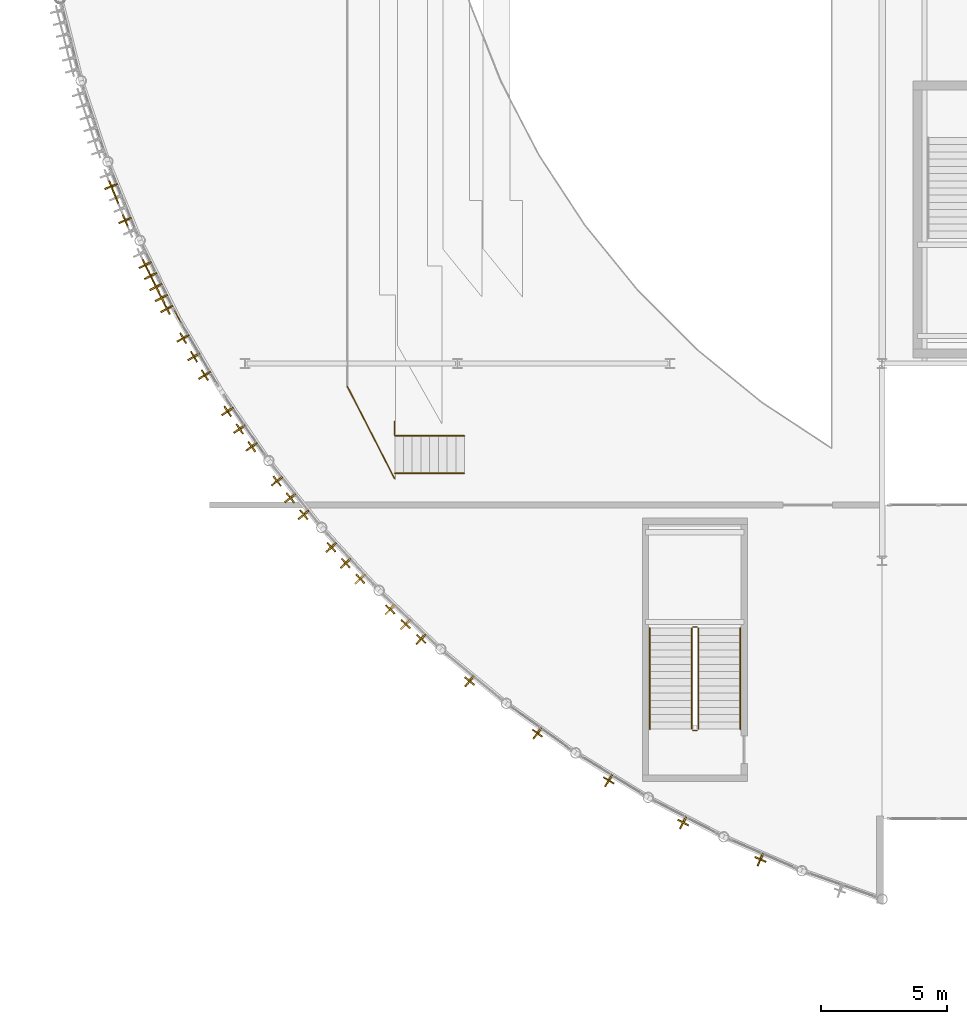
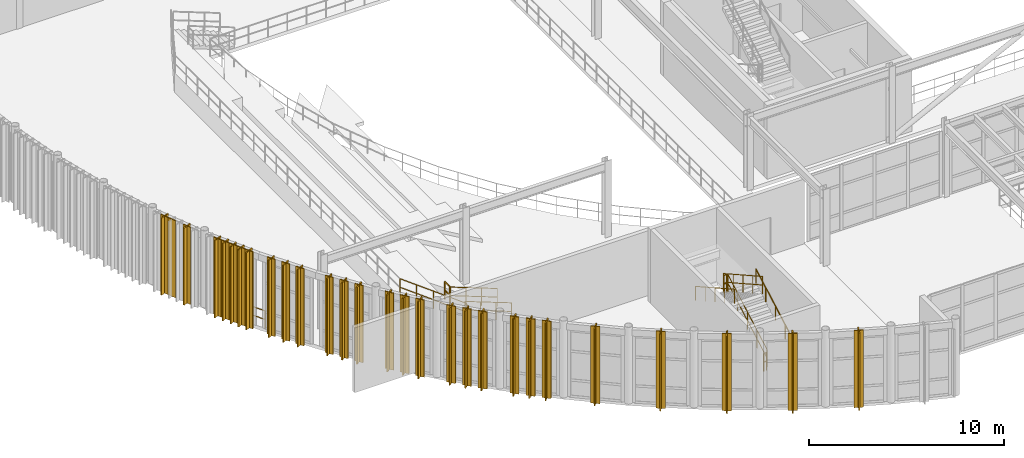
# One storey, part 96 of 105: 28 shading devices, 27 coverings, 11 railings.
"""IFC4 building model written with IfcOpenShell, lengths in metres."""

import ifcopenshell
import ifcopenshell.guid

model = None  # the IFC model being written
_history = None  # IfcOwnerHistory: only IFC2X3 demands one
_inside = {}  # id of a spatial element -> (the spatial element, [elements in it])
_under = {}  # id of a project, library or spatial element -> (it, [spatial elements below it])
_declared = {}  # id of a project -> (the project, [libraries it declares])
_typed = {}  # id of a type object -> (the type object, [elements of that type])
_made_of = {}  # id of a material, layer set ... -> (it, [elements and type objects made of it])


def new_model(schema):
    """Start an empty IFC model of exactly this schema.

    Asked for "IFC4X3", IfcOpenShell would pick the latest addendum, in which some entities
    have other attributes; the version numbers below select the first issue.
    IFC2X3 requires an IfcOwnerHistory on every rooted entity: one is made here for all.
    """
    global model, _history
    if schema == "IFC4X3":
        model = ifcopenshell.file(schema_version=(4, 3, 0, 0))
    else:
        model = ifcopenshell.file(schema=schema)
    _inside.clear()
    _under.clear()
    _declared.clear()
    _typed.clear()
    _made_of.clear()
    _history = None
    if model.schema == "IFC2X3":
        org = make("IfcOrganization", Name="unknown")
        user = make(
            "IfcPersonAndOrganization",
            ThePerson=make("IfcPerson", FamilyName="unknown"),
            TheOrganization=org,
        )
        app = make(
            "IfcApplication",
            ApplicationDeveloper=org,
            Version="unknown",
            ApplicationFullName="unknown",
            ApplicationIdentifier="unknown",
        )
        _history = make(
            "IfcOwnerHistory",
            OwningUser=user,
            OwningApplication=app,
            ChangeAction="ADDED",
            CreationDate=0,
        )
    return model


def make(cls, **values):
    """One entity of the class cls with the attributes given. An attribute that is None is left unset."""
    return model.create_entity(
        cls, **{name: value for name, value in values.items() if value is not None}
    )


def rooted(cls, **values):
    """An entity with a GlobalId (a new one), such as an element, a storey or a relation."""
    return make(cls, GlobalId=ifcopenshell.guid.new(), OwnerHistory=_history, **values)


def si_unit(unit_type, name, prefix=None):
    """IfcSIUnit, for example si_unit("LENGTHUNIT", "METRE", prefix="MILLI")."""
    return make("IfcSIUnit", UnitType=unit_type, Prefix=prefix, Name=name)


def assignment(units):
    """IfcUnitAssignment: the units of a project."""
    return None if units is None else make("IfcUnitAssignment", Units=units)


def point(xyz):
    """IfcCartesianPoint."""
    return None if xyz is None else make("IfcCartesianPoint", Coordinates=xyz)


def direction(xyz):
    """IfcDirection."""
    return None if xyz is None else make("IfcDirection", DirectionRatios=xyz)


def frame(location, z_axis=None, x_axis=None):
    """IfcAxis2Placement3D, a coordinate frame: its origin and axes. An axis left out is left unset."""
    return make(
        "IfcAxis2Placement3D",
        Location=point(location),
        Axis=direction(z_axis),
        RefDirection=direction(x_axis),
    )


def frame_2d(location, x_axis=None):
    """IfcAxis2Placement2D, a coordinate frame in the plane: its origin and x axis."""
    return make(
        "IfcAxis2Placement2D", Location=point(location), RefDirection=direction(x_axis)
    )


def origin():
    """The frame at (0, 0, 0) with its axes left unset."""
    return frame((0.0, 0.0, 0.0))


def origin_2d():
    """The frame at (0, 0) in the plane with its x axis left unset."""
    return frame_2d((0.0, 0.0))


def place(relative_to, where):
    """IfcLocalPlacement: puts the frame where relative to a parent placement (None: the world)."""
    return make(
        "IfcLocalPlacement", PlacementRelTo=relative_to, RelativePlacement=where
    )


def context(
    kind, dimensions, precision=None, world=None, true_north=None, identifier=None
):
    """IfcGeometricRepresentationContext, for example the 3D "Model" context."""
    return make(
        "IfcGeometricRepresentationContext",
        ContextIdentifier=identifier,
        ContextType=kind,
        CoordinateSpaceDimension=dimensions,
        Precision=precision,
        WorldCoordinateSystem=world,
        TrueNorth=true_north,
    )


def subcontext(parent, identifier, kind, view, scale=None):
    """IfcGeometricRepresentationSubContext, for example "Body" below "Model"."""
    return make(
        "IfcGeometricRepresentationSubContext",
        ContextIdentifier=identifier,
        ContextType=kind,
        ParentContext=parent,
        TargetScale=scale,
        TargetView=view,
    )


def project(units=None, contexts=None):
    """IfcProject with its units and contexts."""
    return rooted(
        "IfcProject",
        Name="project",
        RepresentationContexts=contexts,
        UnitsInContext=assignment(units),
    )


def spatial(cls, under=None, at=None, **own):
    """A site, building, storey or space (cls), placed at a placement, below another one or the project."""
    s = rooted(cls, ObjectPlacement=at, **own)
    if under is not None:
        _under.setdefault(under.id(), (under, []))[1].append(s)
    return s


def polyline(points):
    """IfcPolyline through the points."""
    return make("IfcPolyline", Points=[point(p) for p in points])


def profile(cls, at=None, kind="AREA", **sizes):
    """A parametric profile (cls). Its sizes go by their IFC names, for example OverallWidth=200.0."""
    return make(cls, ProfileType=kind, Position=at, **sizes)


def rectangle(**sizes):
    """IfcRectangleProfileDef."""
    return profile("IfcRectangleProfileDef", **sizes)


def circle(**sizes):
    """IfcCircleProfileDef."""
    return profile("IfcCircleProfileDef", **sizes)


def outline(outer, holes=None, kind="AREA"):
    """IfcArbitraryClosedProfileDef: a profile drawn as a closed curve; with holes, ...WithVoids."""
    if holes is None:
        return make("IfcArbitraryClosedProfileDef", ProfileType=kind, OuterCurve=outer)
    return make(
        "IfcArbitraryProfileDefWithVoids",
        ProfileType=kind,
        OuterCurve=outer,
        InnerCurves=holes,
    )


def extrude(swept, where, along, depth):
    """IfcExtrudedAreaSolid: the profile swept, set in the frame where, extruded along a direction by depth."""
    return make(
        "IfcExtrudedAreaSolid",
        SweptArea=swept,
        Position=where,
        ExtrudedDirection=direction(along),
        Depth=depth,
    )


def shape(context_of_items, identifier, shape_type, items):
    """IfcShapeRepresentation: the items that make up one representation, for example the "Body"."""
    return make(
        "IfcShapeRepresentation",
        ContextOfItems=context_of_items,
        RepresentationIdentifier=identifier,
        RepresentationType=shape_type,
        Items=items,
    )


def material(Name=None, Category=None):
    """IfcMaterial."""
    return make("IfcMaterial", Name=Name, Category=Category)


def layer(
    of_material, thickness, ventilated=None, Name=None, Category=None, Priority=None
):
    """IfcMaterialLayer: one layer of a wall or slab, of a material (None: an air gap)."""
    return make(
        "IfcMaterialLayer",
        Material=of_material,
        LayerThickness=thickness,
        IsVentilated=ventilated,
        Name=Name,
        Category=Category,
        Priority=Priority,
    )


def layer_set(layers, Name=None):
    """IfcMaterialLayerSet."""
    return make("IfcMaterialLayerSet", MaterialLayers=layers, LayerSetName=Name)


def material_profile(
    of_material, cross_section, Name=None, Category=None, Priority=None
):
    """IfcMaterialProfile: a cross section and its material."""
    return make(
        "IfcMaterialProfile",
        Name=Name,
        Material=of_material,
        Profile=cross_section,
        Priority=Priority,
        Category=Category,
    )


def profile_set(profiles, Name=None, composite=None):
    """IfcMaterialProfileSet."""
    return make(
        "IfcMaterialProfileSet",
        Name=Name,
        MaterialProfiles=profiles,
        CompositeProfile=composite,
    )


def made_of(thing, what):
    """Note that an element or type object is made of a material, layer set ...; save() writes the relation."""
    if what is not None:
        _made_of.setdefault(what.id(), (what, []))[1].append(thing)
    return thing


def type_object(cls, material=None, **own):
    """A type object (cls), such as IfcWallType, which elements share."""
    return made_of(rooted(cls, **own), material)


def element(
    cls,
    number,
    at=None,
    inside=None,
    cuts=None,
    type_object=None,
    material=None,
    context=None,
    identifier="Body",
    shape_type=None,
    held_by="IfcProductDefinitionShape",
    body=None,
    shapes=None,
    **own,
):
    """One element of the class cls, such as IfcWall. Its Tag is "e" and its number.

    at: its placement. inside: the storey or other place that contains it. cuts: it is an
    opening in that element (IfcRelVoidsElement). A single representation is given by context,
    identifier, shape_type and body (its items); several are given by shapes. held_by: the class
    of the entity that holds the representations. save() writes the other relations.
    """
    e = rooted(cls, Tag="e%d" % number, ObjectPlacement=at, **own)
    if body is not None:
        shapes = [shape(context, identifier, shape_type, body)]
    if shapes is not None:
        e.Representation = make(held_by, Representations=shapes)
    if inside is not None:
        _inside.setdefault(inside.id(), (inside, []))[1].append(e)
    if cuts is not None:
        rooted(
            "IfcRelVoidsElement", RelatingBuildingElement=cuts, RelatedOpeningElement=e
        )
    if type_object is not None:
        _typed.setdefault(type_object.id(), (type_object, []))[1].append(e)
    return made_of(e, material)


def aggregate(whole, parts):
    """IfcRelAggregates: a whole, such as a stair, and the parts it consists of."""
    return rooted("IfcRelAggregates", RelatingObject=whole, RelatedObjects=parts)


def save(model, path):
    """Write the relations noted so far, then the file.

    IfcRelAggregates (storeys below a building ...), IfcRelContainedInSpatialStructure (elements
    in a storey), IfcRelDefinesByType, IfcRelAssociatesMaterial and IfcRelDeclares: one each for
    every whole, place, type object, material and project.
    """
    for whole, parts in _under.values():
        aggregate(whole, parts)
    for where, things in _inside.values():
        rooted(
            "IfcRelContainedInSpatialStructure",
            RelatedElements=things,
            RelatingStructure=where,
        )
    for kind, things in _typed.values():
        rooted("IfcRelDefinesByType", RelatedObjects=things, RelatingType=kind)
    for what, things in _made_of.values():
        rooted("IfcRelAssociatesMaterial", RelatedObjects=things, RelatingMaterial=what)
    for by, libraries in _declared.values():
        rooted("IfcRelDeclares", RelatingContext=by, RelatedDefinitions=libraries)
    model.write(path)


model = new_model("IFC4")

# Units and contexts
model_context = context("Model", 3, precision=1e-05, world=origin(), true_north=direction((0.0, 1.0)))
body_context = subcontext(model_context, "Body", "Model", "MODEL_VIEW")
ifc_project = project(units=[si_unit("LENGTHUNIT", "METRE"), si_unit("AREAUNIT", "SQUARE_METRE"), si_unit("VOLUMEUNIT", "CUBIC_METRE"), si_unit("PLANEANGLEUNIT", "RADIAN"), si_unit("MASSUNIT", "GRAM", prefix="KILO")], contexts=[model_context])

# Site, building, storey
site_placement = place(None, origin())
site = spatial("IfcSite", under=ifc_project, at=site_placement, CompositionType="ELEMENT")
building_placement = place(site_placement, origin())
building = spatial("IfcBuilding", under=site, at=building_placement, Name="Selat Folded Stagehouse", CompositionType="ELEMENT")
storey_placement = place(building_placement, frame((0.0, 0.0, 10.199951171875)))
storey = spatial("IfcBuildingStorey", under=building, at=storey_placement, Name="L02", CompositionType="ELEMENT", Elevation=10.199951171875)

# Coverings
ifc_material_1 = material(Name="Bronze-anodised aluminium 6063-T6", Category="aluminium")
ifc_layer_1 = layer(ifc_material_1, 0.06201171875)
ifc_layer_set_1 = layer_set([ifc_layer_1], Name="Bronze-anodised aluminium 6063-T6")
covering_type = type_object("IfcCoveringType", Name="COV-FIN-BRZ48", PredefinedType="CLADDING", material=ifc_layer_set_1)
covering_1_placement = place(storey_placement, frame((0.0, 0.0, -0.099853515625)))
element("IfcCovering", 1, at=covering_1_placement, inside=storey, type_object=covering_type, Name="L02 drum bronze fin cladding sheath 255", PredefinedType="CLADDING", context=body_context, shape_type="SweptSolid", body=[
    extrude(outline(polyline([(3.339111328125, 30.530517578125), (2.83642578125, 30.33349609375), (2.85986328125, 30.27392578125), (3.362548828125, 30.470947265625), (3.339111328125, 30.530517578125)])), origin(), (0.0, 0.0, 1.0), 4.81982421875),
])
covering_2_placement = place(storey_placement, frame((0.0, 0.0, -0.099853515625)))
element("IfcCovering", 2, at=covering_2_placement, inside=storey, type_object=covering_type, Name="L02 drum bronze fin cladding sheath 273", PredefinedType="CLADDING", context=body_context, shape_type="SweptSolid", body=[
    extrude(outline(polyline([(3.885009765625, 29.194580078125), (3.388427734375, 28.982421875), (3.413818359375, 28.923583984375), (3.910400390625, 29.135498046875), (3.885009765625, 29.194580078125)])), origin(), (0.0, 0.0, 1.0), 4.81982421875),
])
covering_3_placement = place(storey_placement, frame((0.0, 0.0, -0.099853515625)))
element("IfcCovering", 3, at=covering_3_placement, inside=storey, type_object=covering_type, Name="L02 drum bronze fin cladding sheath 291", PredefinedType="CLADDING", context=body_context, shape_type="SweptSolid", body=[
    extrude(outline(polyline([(4.674560546875, 27.44091796875), (4.18701171875, 27.208984375), (4.21435546875, 27.151123046875), (4.7021484375, 27.383056640625), (4.674560546875, 27.44091796875)])), origin(), (0.0, 0.0, 1.0), 4.81982421875),
])
covering_4_placement = place(storey_placement, frame((0.0, 0.0, -0.099853515625)))
element("IfcCovering", 4, at=covering_4_placement, inside=storey, type_object=covering_type, Name="L02 drum bronze fin cladding sheath 297", PredefinedType="CLADDING", context=body_context, shape_type="SweptSolid", body=[
    extrude(outline(polyline([(4.887451171875, 27.00927734375), (4.402099609375, 26.772705078125), (4.43017578125, 26.715087890625), (4.915283203125, 26.951904296875), (4.887451171875, 27.00927734375)])), origin(), (0.0, 0.0, 1.0), 4.81982421875),
])
covering_5_placement = place(storey_placement, frame((0.0, 0.0, -0.099853515625)))
element("IfcCovering", 5, at=covering_5_placement, inside=storey, type_object=covering_type, Name="L02 drum bronze fin cladding sheath 303", PredefinedType="CLADDING", context=body_context, shape_type="SweptSolid", body=[
    extrude(outline(polyline([(5.10009765625, 26.577880859375), (4.6171875, 26.336181640625), (4.645751953125, 26.279052734375), (5.12890625, 26.5205078125), (5.10009765625, 26.577880859375)])), origin(), (0.0, 0.0, 1.0), 4.81982421875),
])
covering_6_placement = place(storey_placement, frame((0.0, 0.0, -0.099853515625)))
element("IfcCovering", 6, at=covering_6_placement, inside=storey, type_object=covering_type, Name="L02 drum bronze fin cladding sheath 309", PredefinedType="CLADDING", context=body_context, shape_type="SweptSolid", body=[
    extrude(outline(polyline([(5.31298828125, 26.146484375), (4.83251953125, 25.89990234375), (4.861572265625, 25.843017578125), (5.342041015625, 26.08935546875), (5.31298828125, 26.146484375)])), origin(), (0.0, 0.0, 1.0), 4.81982421875),
])
covering_7_placement = place(storey_placement, frame((0.0, 0.0, -0.099853515625)))
element("IfcCovering", 7, at=covering_7_placement, inside=storey, type_object=covering_type, Name="L02 drum bronze fin cladding sheath 315", PredefinedType="CLADDING", context=body_context, shape_type="SweptSolid", body=[
    extrude(outline(polyline([(5.525634765625, 25.71484375), (5.047607421875, 25.463623046875), (5.077392578125, 25.406982421875), (5.555419921875, 25.658203125), (5.525634765625, 25.71484375)])), origin(), (0.0, 0.0, 1.0), 4.81982421875),
])
covering_8_placement = place(storey_placement, frame((0.0, 0.0, -0.099853515625)))
element("IfcCovering", 8, at=covering_8_placement, inside=storey, type_object=covering_type, Name="L02 drum bronze fin cladding sheath 321", PredefinedType="CLADDING", context=body_context, shape_type="SweptSolid", body=[
    extrude(outline(polyline([(6.162841796875, 24.556396484375), (5.69189453125, 24.2919921875), (5.72314453125, 24.236083984375), (6.194091796875, 24.50048828125), (6.162841796875, 24.556396484375)])), origin(), (0.0, 0.0, 1.0), 4.81982421875),
])
covering_9_placement = place(storey_placement, frame((0.0, 0.0, -0.099853515625)))
element("IfcCovering", 9, at=covering_9_placement, inside=storey, type_object=covering_type, Name="L02 drum bronze fin cladding sheath 327", PredefinedType="CLADDING", context=body_context, shape_type="SweptSolid", body=[
    extrude(outline(polyline([(6.587158203125, 23.8291015625), (6.12109375, 23.556640625), (6.1533203125, 23.50146484375), (6.619384765625, 23.77392578125), (6.587158203125, 23.8291015625)])), origin(), (0.0, 0.0, 1.0), 4.81982421875),
])
covering_10_placement = place(storey_placement, frame((0.0, 0.0, -0.099853515625)))
element("IfcCovering", 10, at=covering_10_placement, inside=storey, type_object=covering_type, Name="L02 drum bronze fin cladding sheath 333", PredefinedType="CLADDING", context=body_context, shape_type="SweptSolid", body=[
    extrude(outline(polyline([(7.01171875, 23.10205078125), (6.55029296875, 22.8212890625), (6.58349609375, 22.7666015625), (7.044921875, 23.04736328125), (7.01171875, 23.10205078125)])), origin(), (0.0, 0.0, 1.0), 4.81982421875),
])
covering_11_placement = place(storey_placement, frame((0.0, 0.0, -0.099853515625)))
element("IfcCovering", 11, at=covering_11_placement, inside=storey, type_object=covering_type, Name="L02 drum bronze fin cladding sheath 339", PredefinedType="CLADDING", context=body_context, shape_type="SweptSolid", body=[
    extrude(outline(polyline([(7.910400390625, 21.679443359375), (7.458984375, 21.3828125), (7.494384765625, 21.329345703125), (7.945556640625, 21.6259765625), (7.910400390625, 21.679443359375)])), origin(), (0.0, 0.0, 1.0), 4.81982421875),
])
covering_12_placement = place(storey_placement, frame((0.0, 0.0, -0.099853515625)))
element("IfcCovering", 12, at=covering_12_placement, inside=storey, type_object=covering_type, Name="L02 drum bronze fin cladding sheath 345", PredefinedType="CLADDING", context=body_context, shape_type="SweptSolid", body=[
    extrude(outline(polyline([(8.384765625, 20.98388671875), (7.938720703125, 20.67919921875), (7.974853515625, 20.62646484375), (8.4208984375, 20.930908203125), (8.384765625, 20.98388671875)])), origin(), (0.0, 0.0, 1.0), 4.81982421875),
])
covering_13_placement = place(storey_placement, frame((0.0, 0.0, -0.099853515625)))
element("IfcCovering", 13, at=covering_13_placement, inside=storey, type_object=covering_type, Name="L02 drum bronze fin cladding sheath 351", PredefinedType="CLADDING", context=body_context, shape_type="SweptSolid", body=[
    extrude(outline(polyline([(8.85888671875, 20.288330078125), (8.41845703125, 19.97607421875), (8.45556640625, 19.923828125), (8.89599609375, 20.236083984375), (8.85888671875, 20.288330078125)])), origin(), (0.0, 0.0, 1.0), 4.81982421875),
])
covering_14_placement = place(storey_placement, frame((0.0, 0.0, -0.099853515625)))
element("IfcCovering", 14, at=covering_14_placement, inside=storey, type_object=covering_type, Name="L02 drum bronze fin cladding sheath 357", PredefinedType="CLADDING", context=body_context, shape_type="SweptSolid", body=[
    extrude(outline(polyline([(9.855224609375, 18.93212890625), (9.426025390625, 18.6044921875), (9.46484375, 18.5537109375), (9.89404296875, 18.88134765625), (9.855224609375, 18.93212890625)])), origin(), (0.0, 0.0, 1.0), 4.81982421875),
])
covering_15_placement = place(storey_placement, frame((0.0, 0.0, -0.099853515625)))
element("IfcCovering", 15, at=covering_15_placement, inside=storey, type_object=covering_type, Name="L02 drum bronze fin cladding sheath 363", PredefinedType="CLADDING", context=body_context, shape_type="SweptSolid", body=[
    extrude(outline(polyline([(10.377197265625, 18.271484375), (9.953857421875, 17.9365234375), (9.993408203125, 17.88623046875), (10.4169921875, 18.221435546875), (10.377197265625, 18.271484375)])), origin(), (0.0, 0.0, 1.0), 4.81982421875),
])
covering_16_placement = place(storey_placement, frame((0.0, 0.0, -0.099853515625)))
element("IfcCovering", 16, at=covering_16_placement, inside=storey, type_object=covering_type, Name="L02 drum bronze fin cladding sheath 369", PredefinedType="CLADDING", context=body_context, shape_type="SweptSolid", body=[
    extrude(outline(polyline([(10.899169921875, 17.611083984375), (10.481689453125, 17.2685546875), (10.522216796875, 17.218994140625), (10.939697265625, 17.5615234375), (10.899169921875, 17.611083984375)])), origin(), (0.0, 0.0, 1.0), 4.81982421875),
])
covering_17_placement = place(storey_placement, frame((0.0, 0.0, -0.099853515625)))
element("IfcCovering", 17, at=covering_17_placement, inside=storey, type_object=covering_type, Name="L02 drum bronze fin cladding sheath 375", PredefinedType="CLADDING", context=body_context, shape_type="SweptSolid", body=[
    extrude(outline(polyline([(11.98828125, 16.328125), (11.5830078125, 15.97119140625), (11.625244140625, 15.923095703125), (12.030517578125, 16.280029296875), (11.98828125, 16.328125)])), origin(), (0.0, 0.0, 1.0), 4.81982421875),
])
covering_18_placement = place(storey_placement, frame((0.0, 0.0, -0.099853515625)))
element("IfcCovering", 18, at=covering_18_placement, inside=storey, type_object=covering_type, Name="L02 drum bronze fin cladding sheath 381", PredefinedType="CLADDING", context=body_context, shape_type="SweptSolid", body=[
    extrude(outline(polyline([(12.555419921875, 15.705810546875), (12.15625, 15.341796875), (12.199462890625, 15.294677734375), (12.598388671875, 15.658447265625), (12.555419921875, 15.705810546875)])), origin(), (0.0, 0.0, 1.0), 4.81982421875),
])
covering_19_placement = place(storey_placement, frame((0.0, 0.0, -0.099853515625)))
element("IfcCovering", 19, at=covering_19_placement, inside=storey, type_object=covering_type, Name="L02 drum bronze fin cladding sheath 387", PredefinedType="CLADDING", context=body_context, shape_type="SweptSolid", body=[
    extrude(outline(polyline([(13.122314453125, 15.08349609375), (12.729736328125, 14.712646484375), (12.773681640625, 14.666015625), (13.166259765625, 15.037109375), (13.122314453125, 15.08349609375)])), origin(), (0.0, 0.0, 1.0), 4.81982421875),
])
covering_20_placement = place(storey_placement, frame((0.0, 0.0, -0.099853515625)))
element("IfcCovering", 20, at=covering_20_placement, inside=storey, type_object=covering_type, Name="L02 drum bronze fin cladding sheath 393", PredefinedType="CLADDING", context=body_context, shape_type="SweptSolid", body=[
    extrude(outline(polyline([(14.298583984375, 13.880126953125), (13.919189453125, 13.49560546875), (13.96484375, 13.45068359375), (14.343994140625, 13.835205078125), (14.298583984375, 13.880126953125)])), origin(), (0.0, 0.0, 1.0), 4.81982421875),
])
covering_21_placement = place(storey_placement, frame((0.0, 0.0, -0.099853515625)))
element("IfcCovering", 21, at=covering_21_placement, inside=storey, type_object=covering_type, Name="L02 drum bronze fin cladding sheath 399", PredefinedType="CLADDING", context=body_context, shape_type="SweptSolid", body=[
    extrude(outline(polyline([(14.90771484375, 13.299072265625), (14.535400390625, 12.908203125), (14.581787109375, 12.864013671875), (14.9541015625, 13.2548828125), (14.90771484375, 13.299072265625)])), origin(), (0.0, 0.0, 1.0), 4.81982421875),
])
covering_22_placement = place(storey_placement, frame((0.0, 0.0, -0.099853515625)))
element("IfcCovering", 22, at=covering_22_placement, inside=storey, type_object=covering_type, Name="L02 drum bronze fin cladding sheath 405", PredefinedType="CLADDING", context=body_context, shape_type="SweptSolid", body=[
    extrude(outline(polyline([(15.51708984375, 12.718017578125), (15.151611328125, 12.320556640625), (15.19873046875, 12.277099609375), (15.564208984375, 12.6748046875), (15.51708984375, 12.718017578125)])), origin(), (0.0, 0.0, 1.0), 4.81982421875),
])
covering_23_placement = place(storey_placement, frame((0.0, 0.0, -0.099853515625)))
element("IfcCovering", 23, at=covering_23_placement, inside=storey, type_object=covering_type, Name="L02 drum bronze fin cladding sheath 411", PredefinedType="CLADDING", context=body_context, shape_type="SweptSolid", body=[
    extrude(outline(polyline([(17.42333984375, 11.0634765625), (17.079345703125, 10.647216796875), (17.128662109375, 10.6064453125), (17.47265625, 11.022705078125), (17.42333984375, 11.0634765625)])), origin(), (0.0, 0.0, 1.0), 4.81982421875),
])
covering_24_placement = place(storey_placement, frame((0.0, 0.0, -0.099853515625)))
element("IfcCovering", 24, at=covering_24_placement, inside=storey, type_object=covering_type, Name="L02 drum bronze fin cladding sheath 415", PredefinedType="CLADDING", context=body_context, shape_type="SweptSolid", body=[
    extrude(outline(polyline([(20.089599609375, 9.009521484375), (19.775634765625, 8.5703125), (19.82763671875, 8.533203125), (20.1416015625, 8.972412109375), (20.089599609375, 9.009521484375)])), origin(), (0.0, 0.0, 1.0), 4.81982421875),
])
covering_25_placement = place(storey_placement, frame((0.0, 0.0, -0.099853515625)))
element("IfcCovering", 25, at=covering_25_placement, inside=storey, type_object=covering_type, Name="L02 drum bronze fin cladding sheath 419", PredefinedType="CLADDING", context=body_context, shape_type="SweptSolid", body=[
    extrude(outline(polyline([(22.893310546875, 7.147705078125), (22.61083984375, 6.6875), (22.665283203125, 6.654052734375), (22.94775390625, 7.114501953125), (22.893310546875, 7.147705078125)])), origin(), (0.0, 0.0, 1.0), 4.81982421875),
])
covering_26_placement = place(storey_placement, frame((0.0, 0.0, -0.099853515625)))
element("IfcCovering", 26, at=covering_26_placement, inside=storey, type_object=covering_type, Name="L02 drum bronze fin cladding sheath 423", PredefinedType="CLADDING", context=body_context, shape_type="SweptSolid", body=[
    extrude(outline(polyline([(25.82080078125, 5.4873046875), (25.5712890625, 5.00830078125), (25.6279296875, 4.97900390625), (25.87744140625, 5.457763671875), (25.82080078125, 5.4873046875)])), origin(), (0.0, 0.0, 1.0), 4.81982421875),
])
covering_27_placement = place(storey_placement, frame((0.0, 0.0, -0.099853515625)))
element("IfcCovering", 27, at=covering_27_placement, inside=storey, type_object=covering_type, Name="L02 drum bronze fin cladding sheath 427", PredefinedType="CLADDING", context=body_context, shape_type="SweptSolid", body=[
    extrude(outline(polyline([(28.857421875, 4.036376953125), (28.64208984375, 3.541015625), (28.70068359375, 3.515625), (28.916015625, 4.0107421875), (28.857421875, 4.036376953125)])), origin(), (0.0, 0.0, 1.0), 4.81982421875),
])

# Railings
ifc_material_2 = material(Name="Bronze-anodised steel balustrade", Category="steel")
ifc_layer_2 = layer(ifc_material_2, 0.06494140625)
ifc_layer_set_2 = layer_set([ifc_layer_2], Name="Bronze-anodised steel balustrade")
railing_type_1 = type_object("IfcRailingType", Name="RLG-BAL-1120", PredefinedType="BALUSTRADE", material=ifc_layer_set_2)
railing_1_placement = place(storey_placement, frame((14.31005859375, 18.85009765625, 1.215087890625)))
element("IfcRailing", 28, at=railing_1_placement, inside=storey, type_object=railing_type_1, Name="L02 protective guard railing 021", PredefinedType="BALUSTRADE", context=body_context, shape_type="SweptSolid", body=[
    extrude(circle(Radius=0.02392578125, at=origin_2d()), frame((0.0, 0.0, 1.09619140625), z_axis=(-0.455443852717, 0.890264509583, 0.0), x_axis=(-0.890264509583, -0.455443852717, 0.0)), (0.0, 0.0, 1.0), 4.084228515625),
    extrude(circle(Radius=0.02392578125, at=origin_2d()), frame((0.0, 0.0, 0.56005859375), z_axis=(-0.455443852717, 0.890264509583, 0.0), x_axis=(-0.890264509583, -0.455443852717, 0.0)), (0.0, 0.0, 1.0), 4.084228515625),
    extrude(circle(Radius=0.02099609375, at=origin_2d()), origin(), (0.0, 0.0, 1.0), 1.072021484375),
    extrude(circle(Radius=0.02099609375, at=origin_2d()), frame((-0.465087890625, 0.908935546875, 0.0)), (0.0, 0.0, 1.0), 1.072021484375),
    extrude(circle(Radius=0.02099609375, at=origin_2d()), frame((-0.93017578125, 1.81787109375, 0.0)), (0.0, 0.0, 1.0), 1.072021484375),
    extrude(circle(Radius=0.02099609375, at=origin_2d()), frame((-1.39501953125, 2.72705078125, 0.0)), (0.0, 0.0, 1.0), 1.072021484375),
    extrude(circle(Radius=0.02099609375, at=origin_2d()), frame((-1.860107421875, 3.635986328125, 0.0)), (0.0, 0.0, 1.0), 1.072021484375),
])
railing_2_placement = place(storey_placement, frame((14.31005859375, 20.60009765625, 1.215087890625)))
element("IfcRailing", 29, at=railing_2_placement, inside=storey, type_object=railing_type_1, Name="L02 protective guard railing 024", PredefinedType="BALUSTRADE", context=body_context, shape_type="SweptSolid", body=[
    extrude(circle(Radius=0.02392578125, at=origin_2d()), frame((0.0, 0.0, 1.09619140625), z_axis=(0.0, 1.0, 0.0), x_axis=(-1.0, 0.0, 0.0)), (0.0, 0.0, 1.0), 0.5),
    extrude(circle(Radius=0.02392578125, at=origin_2d()), frame((0.0, 0.0, 0.56005859375), z_axis=(0.0, 1.0, 0.0), x_axis=(-1.0, 0.0, 0.0)), (0.0, 0.0, 1.0), 0.5),
    extrude(circle(Radius=0.02099609375, at=origin_2d()), origin(), (0.0, 0.0, 1.0), 1.072021484375),
    extrude(circle(Radius=0.02099609375, at=origin_2d()), frame((0.0, 0.5, 0.0)), (0.0, 0.0, 1.0), 1.072021484375),
])
railing_3_placement = place(storey_placement, frame((5.89990234375, 24.949951171875, 0.0)))
element("IfcRailing", 30, at=railing_3_placement, inside=storey, type_object=railing_type_1, Name="L02 drum mullion step guard", PredefinedType="BALUSTRADE", context=body_context, shape_type="SweptSolid", body=[
    extrude(circle(Radius=0.02392578125, at=origin_2d()), frame((0.0, 0.0, 1.09619140625), z_axis=(-0.473863173151, 0.880598485765, 0.0), x_axis=(-0.880598485765, -0.473863173151, 0.0)), (0.0, 0.0, 1.0), 0.73828125),
    extrude(circle(Radius=0.02392578125, at=origin_2d()), frame((0.0, 0.0, 0.56005859375), z_axis=(-0.473863173151, 0.880598485765, 0.0), x_axis=(-0.880598485765, -0.473863173151, 0.0)), (0.0, 0.0, 1.0), 0.73828125),
    extrude(circle(Radius=0.02099609375, at=origin_2d()), origin(), (0.0, 0.0, 1.0), 1.072021484375),
    extrude(circle(Radius=0.02099609375, at=origin_2d()), frame((-0.349853515625, 0.650146484375, 0.0)), (0.0, 0.0, 1.0), 1.072021484375),
])
railing_4_placement = place(storey_placement, frame((26.330078125, 8.93994140625, 0.16015625)))
element("IfcRailing", 31, at=railing_4_placement, inside=storey, type_object=railing_type_1, Name="L02 ST-09 stair well guard 1", PredefinedType="BALUSTRADE", context=body_context, shape_type="SweptSolid", body=[
    extrude(circle(Radius=0.02392578125, at=origin_2d()), frame((0.0, 0.0, 1.09619140625), z_axis=(0.0, 0.871984184956, 0.489534044972), x_axis=(-1.0, 0.0, 0.0)), (0.0, 0.0, 1.0), 4.57568359375),
    extrude(circle(Radius=0.02392578125, at=origin_2d()), frame((0.0, 0.0, 0.56005859375), z_axis=(0.0, 0.871984184956, 0.489534044972), x_axis=(-1.0, 0.0, 0.0)), (0.0, 0.0, 1.0), 4.57568359375),
    extrude(circle(Radius=0.02099609375, at=origin_2d()), origin(), (0.0, 0.0, 1.0), 1.072021484375),
    extrude(circle(Radius=0.02099609375, at=origin_2d()), frame((0.0, 0.99755859375, 0.56005859375)), (0.0, 0.0, 1.0), 1.072021484375),
    extrude(circle(Radius=0.02099609375, at=origin_2d()), frame((0.0, 1.9951171875, 1.1201171875)), (0.0, 0.0, 1.0), 1.072021484375),
    extrude(circle(Radius=0.02099609375, at=origin_2d()), frame((0.0, 2.992431640625, 1.679931640625)), (0.0, 0.0, 1.0), 1.072021484375),
    extrude(circle(Radius=0.02099609375, at=origin_2d()), frame((0.0, 3.989990234375, 2.239990234375)), (0.0, 0.0, 1.0), 1.072021484375),
])
railing_5_placement = place(storey_placement, frame((26.280029296875, 12.97998046875, 2.400146484375)))
element("IfcRailing", 32, at=railing_5_placement, inside=storey, type_object=railing_type_1, Name="L02 ST-09 stair well guard 2", PredefinedType="BALUSTRADE", context=body_context, shape_type="SweptSolid", body=[
    extrude(circle(Radius=0.02392578125, at=origin_2d()), frame((0.0, 0.0, 1.09619140625), z_axis=(-1.0, 0.0, 0.0), x_axis=(0.0, -1.0, 0.0)), (0.0, 0.0, 1.0), 0.159912109375),
    extrude(circle(Radius=0.02392578125, at=origin_2d()), frame((0.0, 0.0, 0.56005859375), z_axis=(-1.0, 0.0, 0.0), x_axis=(0.0, -1.0, 0.0)), (0.0, 0.0, 1.0), 0.159912109375),
    extrude(circle(Radius=0.02099609375, at=origin_2d()), origin(), (0.0, 0.0, 1.0), 1.072021484375),
    extrude(circle(Radius=0.02099609375, at=origin_2d()), frame((-0.159912109375, 0.0, 0.0)), (0.0, 0.0, 1.0), 1.072021484375),
])
railing_6_placement = place(storey_placement, frame((26.070068359375, 12.929931640625, 2.56005859375)))
element("IfcRailing", 33, at=railing_6_placement, inside=storey, type_object=railing_type_1, Name="L02 ST-09 stair well guard 3", PredefinedType="BALUSTRADE", context=body_context, shape_type="SweptSolid", body=[
    extrude(circle(Radius=0.02392578125, at=origin_2d()), frame((0.0, 0.0, 1.09619140625), z_axis=(0.0, -0.871984184956, 0.489534044972), x_axis=(1.0, 0.0, 0.0)), (0.0, 0.0, 1.0), 4.57568359375),
    extrude(circle(Radius=0.02392578125, at=origin_2d()), frame((0.0, 0.0, 0.56005859375), z_axis=(0.0, -0.871984184956, 0.489534044972), x_axis=(1.0, 0.0, 0.0)), (0.0, 0.0, 1.0), 4.57568359375),
    extrude(circle(Radius=0.02099609375, at=origin_2d()), origin(), (0.0, 0.0, 1.0), 1.072021484375),
    extrude(circle(Radius=0.02099609375, at=origin_2d()), frame((0.0, -0.99755859375, 0.56005859375)), (0.0, 0.0, 1.0), 1.072021484375),
    extrude(circle(Radius=0.02099609375, at=origin_2d()), frame((0.0, -1.9951171875, 1.1201171875)), (0.0, 0.0, 1.0), 1.072021484375),
    extrude(circle(Radius=0.02099609375, at=origin_2d()), frame((0.0, -2.992431640625, 1.679931640625)), (0.0, 0.0, 1.0), 1.072021484375),
    extrude(circle(Radius=0.02099609375, at=origin_2d()), frame((0.0, -3.989990234375, 2.239990234375)), (0.0, 0.0, 1.0), 1.072021484375),
])
railing_7_placement = place(storey_placement, frame((26.280029296875, 8.889892578125, 0.0)))
element("IfcRailing", 34, at=railing_7_placement, inside=storey, type_object=railing_type_1, Name="L02 ST-09 stair well guard 4", PredefinedType="BALUSTRADE", context=body_context, shape_type="SweptSolid", body=[
    extrude(circle(Radius=0.02392578125, at=origin_2d()), frame((0.0, 0.0, 1.09619140625), z_axis=(-1.0, 0.0, 0.0), x_axis=(0.0, -1.0, 0.0)), (0.0, 0.0, 1.0), 0.159912109375),
    extrude(circle(Radius=0.02392578125, at=origin_2d()), frame((0.0, 0.0, 0.56005859375), z_axis=(-1.0, 0.0, 0.0), x_axis=(0.0, -1.0, 0.0)), (0.0, 0.0, 1.0), 0.159912109375),
    extrude(circle(Radius=0.02099609375, at=origin_2d()), origin(), (0.0, 0.0, 1.0), 1.072021484375),
    extrude(circle(Radius=0.02099609375, at=origin_2d()), frame((-0.159912109375, 0.0, 0.0)), (0.0, 0.0, 1.0), 1.072021484375),
])
for number, where, name in (
    (35, (17.080078125, 19.06005859375, 0.16015625), "L02 aisle stair balustrade STA-MT-L02-S-S"),
    (36, (17.080078125, 20.5400390625, 0.16015625), "L02 aisle stair balustrade STA-MT-L02-S-N"),
):
    element("IfcRailing", number, at=place(storey_placement, frame(where)), inside=storey, type_object=railing_type_1, Name=name, PredefinedType="BALUSTRADE", context=body_context, shape_type="SweptSolid", body=[
        extrude(circle(Radius=0.02392578125, at=origin_2d()), frame((0.0, 0.0, 1.09619140625), z_axis=(-0.934093173048, 0.0, 0.357029332219), x_axis=(0.0, -1.0, 0.0)), (0.0, 0.0, 1.0), 2.954833984375),
        extrude(circle(Radius=0.02392578125, at=origin_2d()), frame((0.0, 0.0, 0.56005859375), z_axis=(-0.934093173048, 0.0, 0.357029332219), x_axis=(0.0, -1.0, 0.0)), (0.0, 0.0, 1.0), 2.954833984375),
        extrude(circle(Radius=0.02099609375, at=origin_2d()), origin(), (0.0, 0.0, 1.0), 1.072021484375),
        extrude(circle(Radius=0.02099609375, at=origin_2d()), frame((-0.919921875, 0.0, 0.3515625)), (0.0, 0.0, 1.0), 1.072021484375),
        extrude(circle(Radius=0.02099609375, at=origin_2d()), frame((-1.840087890625, 0.0, 0.703369140625)), (0.0, 0.0, 1.0), 1.072021484375),
        extrude(circle(Radius=0.02099609375, at=origin_2d()), frame((-2.760009765625, 0.0, 1.054931640625)), (0.0, 0.0, 1.0), 1.072021484375),
    ])
ifc_material_3 = material(Name="Brushed stainless steel 1.4301", Category="steel")
ifc_layer_3 = layer(ifc_material_3, 0.048095703125)
ifc_layer_set_3 = layer_set([ifc_layer_3], Name="Brushed stainless steel 1.4301")
railing_type_2 = type_object("IfcRailingType", Name="RLG-HANDRAIL-900", PredefinedType="HANDRAIL", material=ifc_layer_set_3)
railing_8_placement = place(storey_placement, frame((27.989990234375, 8.93994140625, 0.16015625)))
element("IfcRailing", 37, at=railing_8_placement, inside=storey, type_object=railing_type_2, Name="L02 ST-09 wall handrail 1", PredefinedType="HANDRAIL", context=body_context, shape_type="SweptSolid", body=[
    extrude(circle(Radius=0.02392578125, at=origin_2d()), frame((0.0, 0.0, 0.8759765625), z_axis=(0.0, 0.871984184956, 0.489534044972), x_axis=(-1.0, 0.0, 0.0)), (0.0, 0.0, 1.0), 4.57568359375),
    extrude(circle(Radius=0.02099609375, at=origin_2d()), origin(), (0.0, 0.0, 1.0), 0.851806640625),
    extrude(circle(Radius=0.02099609375, at=origin_2d()), frame((0.0, 0.99755859375, 0.56005859375)), (0.0, 0.0, 1.0), 0.851806640625),
    extrude(circle(Radius=0.02099609375, at=origin_2d()), frame((0.0, 1.9951171875, 1.1201171875)), (0.0, 0.0, 1.0), 0.851806640625),
    extrude(circle(Radius=0.02099609375, at=origin_2d()), frame((0.0, 2.992431640625, 1.679931640625)), (0.0, 0.0, 1.0), 0.851806640625),
    extrude(circle(Radius=0.02099609375, at=origin_2d()), frame((0.0, 3.989990234375, 2.239990234375)), (0.0, 0.0, 1.0), 0.851806640625),
])
railing_9_placement = place(storey_placement, frame((24.409912109375, 12.929931640625, 2.56005859375)))
element("IfcRailing", 38, at=railing_9_placement, inside=storey, type_object=railing_type_2, Name="L02 ST-09 wall handrail 2", PredefinedType="HANDRAIL", context=body_context, shape_type="SweptSolid", body=[
    extrude(circle(Radius=0.02392578125, at=origin_2d()), frame((0.0, 0.0, 0.8759765625), z_axis=(0.0, -0.871984184956, 0.489534044972), x_axis=(1.0, 0.0, 0.0)), (0.0, 0.0, 1.0), 4.57568359375),
    extrude(circle(Radius=0.02099609375, at=origin_2d()), origin(), (0.0, 0.0, 1.0), 0.851806640625),
    extrude(circle(Radius=0.02099609375, at=origin_2d()), frame((0.0, -0.99755859375, 0.56005859375)), (0.0, 0.0, 1.0), 0.851806640625),
    extrude(circle(Radius=0.02099609375, at=origin_2d()), frame((0.0, -1.9951171875, 1.1201171875)), (0.0, 0.0, 1.0), 0.851806640625),
    extrude(circle(Radius=0.02099609375, at=origin_2d()), frame((0.0, -2.992431640625, 1.679931640625)), (0.0, 0.0, 1.0), 0.851806640625),
    extrude(circle(Radius=0.02099609375, at=origin_2d()), frame((0.0, -3.989990234375, 2.239990234375)), (0.0, 0.0, 1.0), 0.851806640625),
])

# Shading devices
ifc_material_profile = material_profile(ifc_material_1, rectangle(XDim=0.06005859375, YDim=0.47998046875, at=origin_2d()), Name="SOLAR-FIN 480x60")
ifc_profile_set = profile_set([ifc_material_profile], Name="Bronze-anodised aluminium 6063-T6")
shading_device_type = type_object("IfcShadingDeviceType", Name="SHD-FIN-480x60", PredefinedType="USERDEFINED", material=ifc_profile_set)
for number, where, z_axis, x_axis, name in (
    (39, (3.10888671875, 30.40576171875, -0.099853515625), (0.0, 0.0, 1.0), (-0.931055815863, -0.364876784338, 0.0), "L02 drum vertical bronze solar fin 255"),
    (40, (3.2919921875, 29.958251953125, -0.099853515625), (0.0, 0.0, 1.0), (-0.927314560446, -0.374282922379, 0.0), "L02 drum vertical bronze solar fin 261"),
    (41, (3.65869140625, 29.06298828125, -0.099853515625), (0.0, 0.0, 1.0), (-0.91961594401, -0.392818680211, 0.0), "L02 drum vertical bronze solar fin 273"),
    (42, (4.45361328125, 27.30029296875, -0.099853515625), (0.0, 0.0, 1.0), (-0.903185511225, -0.429250430767, 0.0), "L02 drum vertical bronze solar fin 291"),
    (43, (4.667724609375, 26.86669921875, -0.099853515625), (0.0, 0.0, 1.0), (-0.898794046299, -0.438371146789, 0.0), "L02 drum vertical bronze solar fin 297"),
    (44, (4.8818359375, 26.432861328125, -0.099853515625), (0.0, 0.0, 1.0), (-0.89438856037, -0.447290848419, 0.0), "L02 drum vertical bronze solar fin 303"),
    (45, (5.09619140625, 25.999267578125, -0.099853515625), (0.0, 0.0, 1.0), (-0.889814927768, -0.4563215909, 0.0), "L02 drum vertical bronze solar fin 309"),
    (46, (5.310302734375, 25.565673828125, -0.099853515625), (0.0, 0.0, 1.0), (-0.885231311332, -0.465151078077, 0.0), "L02 drum vertical bronze solar fin 315"),
    (47, (5.951904296875, 24.401123046875, -0.099853515625), (0.0, 0.0, 1.0), (-0.872069272432, -0.489382451749, 0.0), "L02 drum vertical bronze solar fin 321"),
    (48, (6.37890625, 23.67041015625, -0.099853515625), (0.0, 0.0, 1.0), (-0.863307480775, -0.504678307081, 0.0), "L02 drum vertical bronze solar fin 327"),
    (49, (6.80615234375, 22.939697265625, -0.099853515625), (0.0, 0.0, 1.0), (-0.854368143929, -0.519668235165, 0.0), "L02 drum vertical bronze solar fin 333"),
    (50, (7.710693359375, 21.509765625, -0.099853515625), (0.0, 0.0, 1.0), (-0.835615665335, -0.549314536351, 0.0), "L02 drum vertical bronze solar fin 339"),
    (51, (8.18798828125, 20.810791015625, -0.099853515625), (0.0, 0.0, 1.0), (-0.82580311972, -0.563958515726, 0.0), "L02 drum vertical bronze solar fin 345"),
    (52, (8.665283203125, 20.11181640625, -0.099853515625), (0.0, 0.0, 1.0), (-0.815733970499, -0.578427255041, 0.0), "L02 drum vertical bronze solar fin 351"),
    (53, (9.66796875, 18.7490234375, -0.099853515625), (0.0, 0.0, 1.0), (-0.794944353388, -0.606682351002, 0.0), "L02 drum vertical bronze solar fin 357"),
    (54, (10.193115234375, 18.085205078125, -0.099853515625), (0.0, 0.0, 1.0), (-0.784235212544, -0.620463642292, 0.0), "L02 drum vertical bronze solar fin 363"),
    (55, (10.718505859375, 17.42138671875, -0.099853515625), (0.0, 0.0, 1.0), (-0.773176510644, -0.634190888762, 0.0), "L02 drum vertical bronze solar fin 369"),
    (56, (11.814208984375, 16.13232421875, -0.099853515625), (0.0, 0.0, 1.0), (-0.750457228874, -0.660919017453, 0.0), "L02 drum vertical bronze solar fin 375"),
    (57, (12.384765625, 15.5068359375, -0.099853515625), (0.0, 0.0, 1.0), (-0.738690671568, -0.674044576967, 0.0), "L02 drum vertical bronze solar fin 381"),
    (58, (12.955322265625, 14.881591796875, -0.099853515625), (0.0, 0.0, 1.0), (-0.726814465487, -0.686833846544, 0.0), "L02 drum vertical bronze solar fin 387"),
    (59, (14.138916015625, 13.672607421875, -0.099853515625), (0.0, 0.0, 1.0), (-0.702277314289, -0.711903486321, 0.0), "L02 drum vertical bronze solar fin 393"),
    (60, (14.751708984375, 13.0888671875, -0.099853515625), (0.0, 0.0, 1.0), (-0.689619543736, -0.724171861437, 0.0), "L02 drum vertical bronze solar fin 399"),
    (61, (15.36474609375, 12.5048828125, -0.099853515625), (0.0, 0.0, 1.0), (-0.676875969683, -0.73609708712, 0.0), "L02 drum vertical bronze solar fin 405"),
    (62, (17.282470703125, 10.842529296875, -0.099853515625), (0.0, 0.0, 1.0), (-0.63715499106, -0.770735698776, 0.0), "L02 drum vertical bronze solar fin 411"),
    (63, (19.96435546875, 8.779541015625, -0.099853515625), (0.0, 0.0, 1.0), (-0.581555176926, -0.813506961366, 0.0), "L02 drum vertical bronze solar fin 415"),
    (64, (22.78466796875, 6.909423828125, -0.099853515625), (0.0, 0.0, 1.0), (-0.523093692466, -0.852275183789, 0.0), "L02 drum vertical bronze solar fin 419"),
    (65, (25.72900390625, 5.241943359375, -0.099853515625), (0.0, 0.0, 1.0), (-0.461903418797, -0.886930229333, 0.0), "L02 drum vertical bronze solar fin 423"),
    (66, (28.782958984375, 3.78515625, -0.099853515625), (0.0, 0.0, 1.0), (-0.398589005675, -0.917129655259, 0.0), "L02 drum vertical bronze solar fin 427"),
):
    element("IfcShadingDevice", number, at=place(storey_placement, frame(where, z_axis=z_axis, x_axis=x_axis)), inside=storey, type_object=shading_device_type, Name=name, ObjectType="FIN", PredefinedType="USERDEFINED", context=body_context, shape_type="SweptSolid", body=[
        extrude(rectangle(XDim=0.06005859375, YDim=0.47998046875, at=origin_2d()), origin(), (0.0, 0.0, 1.0), 4.81982421875),
    ])

save(model, "model.ifc")
